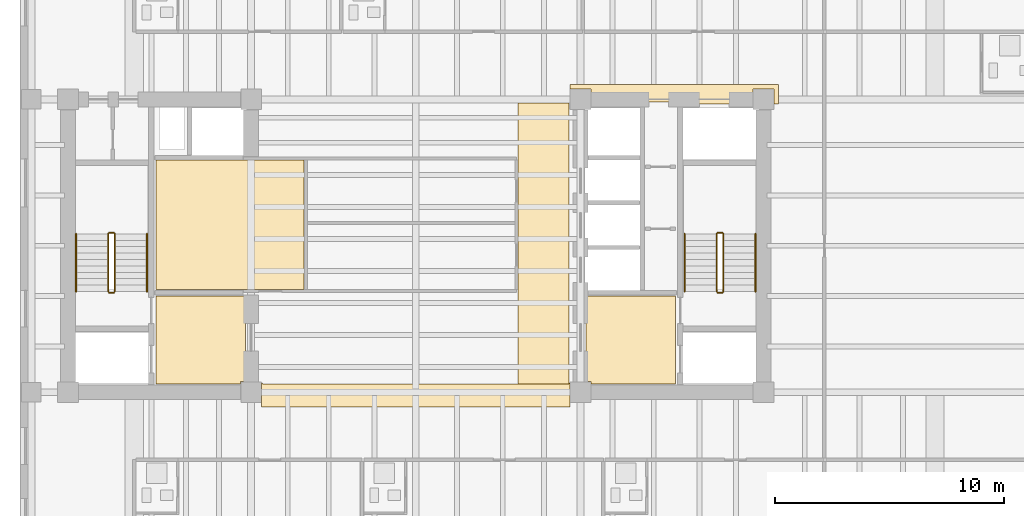
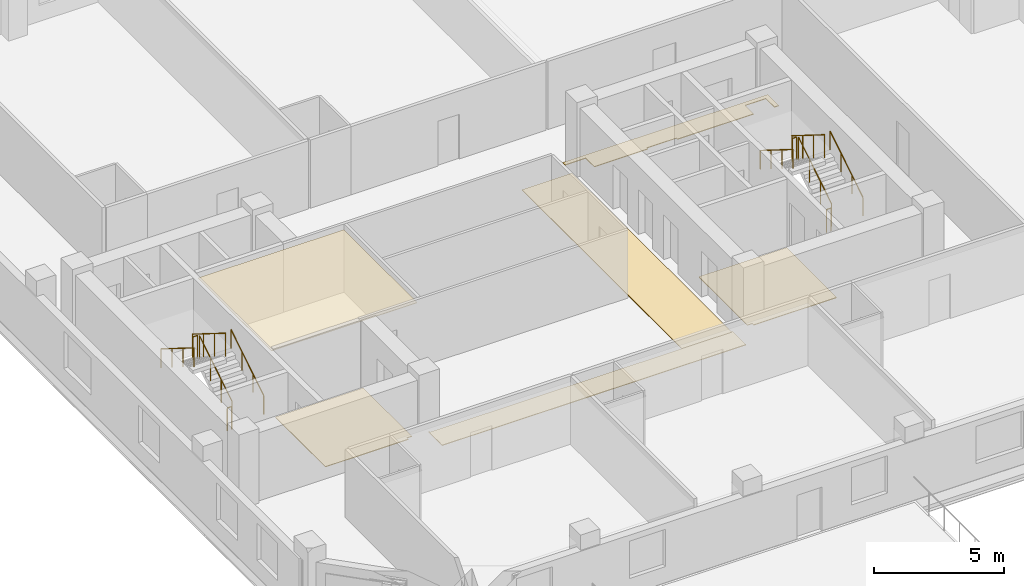
# One storey, part 8 of 10: 12 railings, 6 coverings.
"""IFC4 building model written with IfcOpenShell, lengths in metres."""

import ifcopenshell
import ifcopenshell.guid

model = None  # the IFC model being written
_history = None  # IfcOwnerHistory: only IFC2X3 demands one
_inside = {}  # id of a spatial element -> (the spatial element, [elements in it])
_under = {}  # id of a project, library or spatial element -> (it, [spatial elements below it])
_declared = {}  # id of a project -> (the project, [libraries it declares])
_typed = {}  # id of a type object -> (the type object, [elements of that type])
_made_of = {}  # id of a material, layer set ... -> (it, [elements and type objects made of it])


def new_model(schema):
    """Start an empty IFC model of exactly this schema.

    Asked for "IFC4X3", IfcOpenShell would pick the latest addendum, in which some entities
    have other attributes; the version numbers below select the first issue.
    IFC2X3 requires an IfcOwnerHistory on every rooted entity: one is made here for all.
    """
    global model, _history
    if schema == "IFC4X3":
        model = ifcopenshell.file(schema_version=(4, 3, 0, 0))
    else:
        model = ifcopenshell.file(schema=schema)
    _inside.clear()
    _under.clear()
    _declared.clear()
    _typed.clear()
    _made_of.clear()
    _history = None
    if model.schema == "IFC2X3":
        org = make("IfcOrganization", Name="unknown")
        user = make(
            "IfcPersonAndOrganization",
            ThePerson=make("IfcPerson", FamilyName="unknown"),
            TheOrganization=org,
        )
        app = make(
            "IfcApplication",
            ApplicationDeveloper=org,
            Version="unknown",
            ApplicationFullName="unknown",
            ApplicationIdentifier="unknown",
        )
        _history = make(
            "IfcOwnerHistory",
            OwningUser=user,
            OwningApplication=app,
            ChangeAction="ADDED",
            CreationDate=0,
        )
    return model


def make(cls, **values):
    """One entity of the class cls with the attributes given. An attribute that is None is left unset."""
    return model.create_entity(
        cls, **{name: value for name, value in values.items() if value is not None}
    )


def rooted(cls, **values):
    """An entity with a GlobalId (a new one), such as an element, a storey or a relation."""
    return make(cls, GlobalId=ifcopenshell.guid.new(), OwnerHistory=_history, **values)


def si_unit(unit_type, name, prefix=None):
    """IfcSIUnit, for example si_unit("LENGTHUNIT", "METRE", prefix="MILLI")."""
    return make("IfcSIUnit", UnitType=unit_type, Prefix=prefix, Name=name)


def assignment(units):
    """IfcUnitAssignment: the units of a project."""
    return None if units is None else make("IfcUnitAssignment", Units=units)


def point(xyz):
    """IfcCartesianPoint."""
    return None if xyz is None else make("IfcCartesianPoint", Coordinates=xyz)


def direction(xyz):
    """IfcDirection."""
    return None if xyz is None else make("IfcDirection", DirectionRatios=xyz)


def frame(location, z_axis=None, x_axis=None):
    """IfcAxis2Placement3D, a coordinate frame: its origin and axes. An axis left out is left unset."""
    return make(
        "IfcAxis2Placement3D",
        Location=point(location),
        Axis=direction(z_axis),
        RefDirection=direction(x_axis),
    )


def frame_2d(location, x_axis=None):
    """IfcAxis2Placement2D, a coordinate frame in the plane: its origin and x axis."""
    return make(
        "IfcAxis2Placement2D", Location=point(location), RefDirection=direction(x_axis)
    )


def origin():
    """The frame at (0, 0, 0) with its axes left unset."""
    return frame((0.0, 0.0, 0.0))


def origin_2d():
    """The frame at (0, 0) in the plane with its x axis left unset."""
    return frame_2d((0.0, 0.0))


def place(relative_to, where):
    """IfcLocalPlacement: puts the frame where relative to a parent placement (None: the world)."""
    return make(
        "IfcLocalPlacement", PlacementRelTo=relative_to, RelativePlacement=where
    )


def context(
    kind, dimensions, precision=None, world=None, true_north=None, identifier=None
):
    """IfcGeometricRepresentationContext, for example the 3D "Model" context."""
    return make(
        "IfcGeometricRepresentationContext",
        ContextIdentifier=identifier,
        ContextType=kind,
        CoordinateSpaceDimension=dimensions,
        Precision=precision,
        WorldCoordinateSystem=world,
        TrueNorth=true_north,
    )


def subcontext(parent, identifier, kind, view, scale=None):
    """IfcGeometricRepresentationSubContext, for example "Body" below "Model"."""
    return make(
        "IfcGeometricRepresentationSubContext",
        ContextIdentifier=identifier,
        ContextType=kind,
        ParentContext=parent,
        TargetScale=scale,
        TargetView=view,
    )


def project(units=None, contexts=None):
    """IfcProject with its units and contexts."""
    return rooted(
        "IfcProject",
        Name="project",
        RepresentationContexts=contexts,
        UnitsInContext=assignment(units),
    )


def spatial(cls, under=None, at=None, **own):
    """A site, building, storey or space (cls), placed at a placement, below another one or the project."""
    s = rooted(cls, ObjectPlacement=at, **own)
    if under is not None:
        _under.setdefault(under.id(), (under, []))[1].append(s)
    return s


def polyline(points):
    """IfcPolyline through the points."""
    return make("IfcPolyline", Points=[point(p) for p in points])


def profile(cls, at=None, kind="AREA", **sizes):
    """A parametric profile (cls). Its sizes go by their IFC names, for example OverallWidth=200.0."""
    return make(cls, ProfileType=kind, Position=at, **sizes)


def circle(**sizes):
    """IfcCircleProfileDef."""
    return profile("IfcCircleProfileDef", **sizes)


def outline(outer, holes=None, kind="AREA"):
    """IfcArbitraryClosedProfileDef: a profile drawn as a closed curve; with holes, ...WithVoids."""
    if holes is None:
        return make("IfcArbitraryClosedProfileDef", ProfileType=kind, OuterCurve=outer)
    return make(
        "IfcArbitraryProfileDefWithVoids",
        ProfileType=kind,
        OuterCurve=outer,
        InnerCurves=holes,
    )


def extrude(swept, where, along, depth):
    """IfcExtrudedAreaSolid: the profile swept, set in the frame where, extruded along a direction by depth."""
    return make(
        "IfcExtrudedAreaSolid",
        SweptArea=swept,
        Position=where,
        ExtrudedDirection=direction(along),
        Depth=depth,
    )


def shape(context_of_items, identifier, shape_type, items):
    """IfcShapeRepresentation: the items that make up one representation, for example the "Body"."""
    return make(
        "IfcShapeRepresentation",
        ContextOfItems=context_of_items,
        RepresentationIdentifier=identifier,
        RepresentationType=shape_type,
        Items=items,
    )


def material(Name=None, Category=None):
    """IfcMaterial."""
    return make("IfcMaterial", Name=Name, Category=Category)


def layer(
    of_material, thickness, ventilated=None, Name=None, Category=None, Priority=None
):
    """IfcMaterialLayer: one layer of a wall or slab, of a material (None: an air gap)."""
    return make(
        "IfcMaterialLayer",
        Material=of_material,
        LayerThickness=thickness,
        IsVentilated=ventilated,
        Name=Name,
        Category=Category,
        Priority=Priority,
    )


def layer_set(layers, Name=None):
    """IfcMaterialLayerSet."""
    return make("IfcMaterialLayerSet", MaterialLayers=layers, LayerSetName=Name)


def made_of(thing, what):
    """Note that an element or type object is made of a material, layer set ...; save() writes the relation."""
    if what is not None:
        _made_of.setdefault(what.id(), (what, []))[1].append(thing)
    return thing


def type_object(cls, material=None, **own):
    """A type object (cls), such as IfcWallType, which elements share."""
    return made_of(rooted(cls, **own), material)


def element(
    cls,
    number,
    at=None,
    inside=None,
    cuts=None,
    type_object=None,
    material=None,
    context=None,
    identifier="Body",
    shape_type=None,
    held_by="IfcProductDefinitionShape",
    body=None,
    shapes=None,
    **own,
):
    """One element of the class cls, such as IfcWall. Its Tag is "e" and its number.

    at: its placement. inside: the storey or other place that contains it. cuts: it is an
    opening in that element (IfcRelVoidsElement). A single representation is given by context,
    identifier, shape_type and body (its items); several are given by shapes. held_by: the class
    of the entity that holds the representations. save() writes the other relations.
    """
    e = rooted(cls, Tag="e%d" % number, ObjectPlacement=at, **own)
    if body is not None:
        shapes = [shape(context, identifier, shape_type, body)]
    if shapes is not None:
        e.Representation = make(held_by, Representations=shapes)
    if inside is not None:
        _inside.setdefault(inside.id(), (inside, []))[1].append(e)
    if cuts is not None:
        rooted(
            "IfcRelVoidsElement", RelatingBuildingElement=cuts, RelatedOpeningElement=e
        )
    if type_object is not None:
        _typed.setdefault(type_object.id(), (type_object, []))[1].append(e)
    return made_of(e, material)


def aggregate(whole, parts):
    """IfcRelAggregates: a whole, such as a stair, and the parts it consists of."""
    return rooted("IfcRelAggregates", RelatingObject=whole, RelatedObjects=parts)


def save(model, path):
    """Write the relations noted so far, then the file.

    IfcRelAggregates (storeys below a building ...), IfcRelContainedInSpatialStructure (elements
    in a storey), IfcRelDefinesByType, IfcRelAssociatesMaterial and IfcRelDeclares: one each for
    every whole, place, type object, material and project.
    """
    for whole, parts in _under.values():
        aggregate(whole, parts)
    for where, things in _inside.values():
        rooted(
            "IfcRelContainedInSpatialStructure",
            RelatedElements=things,
            RelatingStructure=where,
        )
    for kind, things in _typed.values():
        rooted("IfcRelDefinesByType", RelatedObjects=things, RelatingType=kind)
    for what, things in _made_of.values():
        rooted("IfcRelAssociatesMaterial", RelatedObjects=things, RelatingMaterial=what)
    for by, libraries in _declared.values():
        rooted("IfcRelDeclares", RelatingContext=by, RelatedDefinitions=libraries)
    model.write(path)


model = new_model("IFC4")

# Units and contexts
model_context = context("Model", 3, precision=1e-05, world=origin(), true_north=direction((0.0, 1.0)))
body_context = subcontext(model_context, "Body", "Model", "MODEL_VIEW")
ifc_project = project(units=[si_unit("LENGTHUNIT", "METRE"), si_unit("AREAUNIT", "SQUARE_METRE"), si_unit("VOLUMEUNIT", "CUBIC_METRE"), si_unit("PLANEANGLEUNIT", "RADIAN"), si_unit("MASSUNIT", "GRAM", prefix="KILO")], contexts=[model_context])

# Site, building, storey
site_placement = place(None, origin())
site = spatial("IfcSite", under=ifc_project, at=site_placement, CompositionType="ELEMENT")
building_placement = place(site_placement, origin())
building = spatial("IfcBuilding", under=site, at=building_placement, Name="Kranthara Brick Stack", CompositionType="ELEMENT")
storey_placement = place(building_placement, frame((0.0, 0.0, 162.300048828125)))
storey = spatial("IfcBuildingStorey", under=building, at=storey_placement, Name="L41", CompositionType="ELEMENT", Elevation=162.300048828125)

# Coverings
ifc_material_1 = material(Name="Perforated mineral-fibre acoustic ceiling tile", Category="other")
ifc_layer_1 = layer(ifc_material_1, 0.02490234375)
ifc_layer_set_1 = layer_set([ifc_layer_1], Name="Perforated mineral-fibre acoustic ceiling tile")
covering_type_1 = type_object("IfcCoveringType", Name="COV-CEIL-ACOUSTIC", PredefinedType="CEILING", material=ifc_layer_set_1)
covering_1_placement = place(storey_placement, frame((0.0, 0.0, 2.929931640625)))
element("IfcCovering", 1, at=covering_1_placement, inside=storey, type_object=covering_type_1, Name="L41 L41 Hotel Business Study Acoustic Ceiling", PredefinedType="CEILING", context=body_context, shape_type="SweptSolid", body=[
    extrude(outline(polyline([(23.1201171875, 25.300048828125), (23.1201171875, 30.93994140625), (16.64990234375, 30.93994140625), (16.64990234375, 25.300048828125), (23.1201171875, 25.300048828125)])), origin(), (0.0, 0.0, 1.0), 0.02490234375),
])
ifc_material_2 = material(Name="Honed terrazzo and porcelain floor finish", Category="stone")
ifc_layer_2 = layer(ifc_material_2, 0.030029296875)
ifc_layer_set_2 = layer_set([ifc_layer_2], Name="Honed terrazzo and porcelain floor finish")
covering_type_2 = type_object("IfcCoveringType", Name="COV-FLOR-STONE", PredefinedType="FLOORING", material=ifc_layer_set_2)
covering_2_placement = place(storey_placement, origin())
element("IfcCovering", 2, at=covering_2_placement, inside=storey, type_object=covering_type_2, Name="L41 Lift Lobby Stone Flooring", PredefinedType="FLOORING", context=body_context, shape_type="SweptSolid", body=[
    extrude(outline(polyline([(16.64990234375, 21.14990234375), (16.64990234375, 25.0), (20.550048828125, 25.0), (20.550048828125, 21.260009765625), (20.340087890625, 21.260009765625), (20.340087890625, 21.14990234375), (16.64990234375, 21.14990234375)])), origin(), (0.0, 0.0, 1.0), 0.030029296875),
])
covering_3_placement = place(storey_placement, origin())
element("IfcCovering", 3, at=covering_3_placement, inside=storey, type_object=covering_type_2, Name="L41 Lift Lobby Stone Flooring", PredefinedType="FLOORING", context=body_context, shape_type="SweptSolid", body=[
    extrude(outline(polyline([(35.449951171875, 25.0), (39.35009765625, 25.0), (39.35009765625, 21.14990234375), (35.659912109375, 21.14990234375), (35.659912109375, 21.260009765625), (35.449951171875, 21.260009765625), (35.449951171875, 25.0)])), origin(), (0.0, 0.0, 1.0), 0.030029296875),
])
covering_4_placement = place(storey_placement, origin())
element("IfcCovering", 4, at=covering_4_placement, inside=storey, type_object=covering_type_2, Name="L41 Lift Lobby Stone Flooring", PredefinedType="FLOORING", context=body_context, shape_type="SweptSolid", body=[
    extrude(outline(polyline([(34.699951171875, 21.14990234375), (34.699951171875, 33.449951171875), (32.47998046875, 33.449951171875), (32.47998046875, 21.14990234375), (34.699951171875, 21.14990234375)])), origin(), (0.0, 0.0, 1.0), 0.030029296875),
])
covering_5_placement = place(storey_placement, origin())
element("IfcCovering", 5, at=covering_5_placement, inside=storey, type_object=covering_type_2, Name="L41 Lift Lobby Stone Flooring", PredefinedType="FLOORING", context=body_context, shape_type="SweptSolid", body=[
    extrude(outline(polyline([(21.25, 20.340087890625), (21.260009765625, 20.340087890625), (21.260009765625, 21.199951171875), (21.300048828125, 21.199951171875), (21.300048828125, 21.14990234375), (32.47998046875, 21.14990234375), (34.699951171875, 21.14990234375), (34.699951171875, 21.199951171875), (34.739990234375, 21.199951171875), (34.739990234375, 20.340087890625), (34.75, 20.340087890625), (34.75, 20.14990234375), (21.25, 20.14990234375), (21.25, 20.340087890625)])), origin(), (0.0, 0.0, 1.0), 0.030029296875),
])
covering_6_placement = place(storey_placement, origin())
element("IfcCovering", 6, at=covering_6_placement, inside=storey, type_object=covering_type_2, Name="L41 Lift Lobby Stone Flooring", PredefinedType="FLOORING", context=body_context, shape_type="SweptSolid", body=[
    extrude(outline(polyline([(43.659912109375, 33.39990234375), (43.659912109375, 34.06005859375), (42.739990234375, 34.06005859375), (42.739990234375, 33.39990234375), (39.35009765625, 33.39990234375), (39.35009765625, 33.47998046875), (38.050048828125, 33.47998046875), (38.050048828125, 33.39990234375), (35.659912109375, 33.39990234375), (35.659912109375, 34.06005859375), (34.75, 34.06005859375), (34.75, 34.25), (43.85009765625, 34.25), (43.85009765625, 33.39990234375), (43.659912109375, 33.39990234375)])), origin(), (0.0, 0.0, 1.0), 0.030029296875),
])

# Railings
ifc_material_3 = material(Name="Painted galvanized steel stair guardrail", Category="steel")
railing_type_1 = type_object("IfcRailingType", Name="RL-STAIR-GUARD-1100", PredefinedType="GUARDRAIL", material=ifc_material_3)
railing_1_placement = place(storey_placement, frame((14.85009765625, 25.199951171875, 0.175048828125)))
element("IfcRailing", 7, at=railing_1_placement, inside=storey, type_object=railing_type_1, Name="L41 ST01 stair guard 1", PredefinedType="GUARDRAIL", context=body_context, shape_type="SweptSolid", body=[
    extrude(circle(Radius=0.02392578125, at=origin_2d()), frame((0.0, 0.0, 1.076171875), z_axis=(0.0, 0.848007534815, 0.529984170421), x_axis=(-1.0, 0.0, 0.0)), (0.0, 0.0, 1.0), 2.9716796875),
    extrude(circle(Radius=0.02099609375, at=origin_2d()), origin(), (0.0, 0.0, 1.0), 1.052001953125),
    extrude(circle(Radius=0.02099609375, at=origin_2d()), frame((0.0, 0.840087890625, 0.52490234375)), (0.0, 0.0, 1.0), 1.052001953125),
    extrude(circle(Radius=0.02099609375, at=origin_2d()), frame((0.0, 1.679931640625, 1.050048828125)), (0.0, 0.0, 1.0), 1.052001953125),
    extrude(circle(Radius=0.02099609375, at=origin_2d()), frame((0.0, 2.52001953125, 1.574951171875)), (0.0, 0.0, 1.0), 1.052001953125),
])
railing_2_placement = place(storey_placement, frame((14.800048828125, 27.77001953125, 1.75)))
element("IfcRailing", 8, at=railing_2_placement, inside=storey, type_object=railing_type_1, Name="L41 ST01 stair guard 2", PredefinedType="GUARDRAIL", context=body_context, shape_type="SweptSolid", body=[
    extrude(circle(Radius=0.02392578125, at=origin_2d()), frame((0.0, 0.0, 1.076171875), z_axis=(-1.0, 0.0, 0.0), x_axis=(0.0, -1.0, 0.0)), (0.0, 0.0, 1.0), 0.199951171875),
    extrude(circle(Radius=0.02099609375, at=origin_2d()), origin(), (0.0, 0.0, 1.0), 1.052001953125),
    extrude(circle(Radius=0.02099609375, at=origin_2d()), frame((-0.199951171875, 0.0, 0.0)), (0.0, 0.0, 1.0), 1.052001953125),
])
railing_3_placement = place(storey_placement, frame((14.550048828125, 27.719970703125, 1.925048828125)))
element("IfcRailing", 9, at=railing_3_placement, inside=storey, type_object=railing_type_1, Name="L41 ST01 stair guard 3", PredefinedType="GUARDRAIL", context=body_context, shape_type="SweptSolid", body=[
    extrude(circle(Radius=0.02392578125, at=origin_2d()), frame((0.0, 0.0, 1.076171875), z_axis=(0.0, -0.848007534815, 0.529984170421), x_axis=(1.0, 0.0, 0.0)), (0.0, 0.0, 1.0), 2.9716796875),
    extrude(circle(Radius=0.02099609375, at=origin_2d()), origin(), (0.0, 0.0, 1.0), 1.052001953125),
    extrude(circle(Radius=0.02099609375, at=origin_2d()), frame((0.0, -0.840087890625, 0.52490234375)), (0.0, 0.0, 1.0), 1.052001953125),
    extrude(circle(Radius=0.02099609375, at=origin_2d()), frame((0.0, -1.679931640625, 1.050048828125)), (0.0, 0.0, 1.0), 1.052001953125),
    extrude(circle(Radius=0.02099609375, at=origin_2d()), frame((0.0, -2.52001953125, 1.574951171875)), (0.0, 0.0, 1.0), 1.052001953125),
])
railing_4_placement = place(storey_placement, frame((14.800048828125, 25.14990234375, 0.0)))
element("IfcRailing", 10, at=railing_4_placement, inside=storey, type_object=railing_type_1, Name="L41 ST01 stair guard 4", PredefinedType="GUARDRAIL", context=body_context, shape_type="SweptSolid", body=[
    extrude(circle(Radius=0.02392578125, at=origin_2d()), frame((0.0, 0.0, 1.076171875), z_axis=(-1.0, 0.0, 0.0), x_axis=(0.0, -1.0, 0.0)), (0.0, 0.0, 1.0), 0.199951171875),
    extrude(circle(Radius=0.02099609375, at=origin_2d()), origin(), (0.0, 0.0, 1.0), 1.052001953125),
    extrude(circle(Radius=0.02099609375, at=origin_2d()), frame((-0.199951171875, 0.0, 0.0)), (0.0, 0.0, 1.0), 1.052001953125),
])
railing_5_placement = place(storey_placement, frame((41.449951171875, 25.199951171875, 0.175048828125)))
element("IfcRailing", 11, at=railing_5_placement, inside=storey, type_object=railing_type_1, Name="L41 ST02 stair guard 1", PredefinedType="GUARDRAIL", context=body_context, shape_type="SweptSolid", body=[
    extrude(circle(Radius=0.02392578125, at=origin_2d()), frame((0.0, 0.0, 1.076171875), z_axis=(0.0, 0.848007534815, 0.529984170421), x_axis=(-1.0, 0.0, 0.0)), (0.0, 0.0, 1.0), 2.9716796875),
    extrude(circle(Radius=0.02099609375, at=origin_2d()), origin(), (0.0, 0.0, 1.0), 1.052001953125),
    extrude(circle(Radius=0.02099609375, at=origin_2d()), frame((0.0, 0.840087890625, 0.52490234375)), (0.0, 0.0, 1.0), 1.052001953125),
    extrude(circle(Radius=0.02099609375, at=origin_2d()), frame((0.0, 1.679931640625, 1.050048828125)), (0.0, 0.0, 1.0), 1.052001953125),
    extrude(circle(Radius=0.02099609375, at=origin_2d()), frame((0.0, 2.52001953125, 1.574951171875)), (0.0, 0.0, 1.0), 1.052001953125),
])
railing_6_placement = place(storey_placement, frame((41.39990234375, 27.77001953125, 1.75)))
element("IfcRailing", 12, at=railing_6_placement, inside=storey, type_object=railing_type_1, Name="L41 ST02 stair guard 2", PredefinedType="GUARDRAIL", context=body_context, shape_type="SweptSolid", body=[
    extrude(circle(Radius=0.02392578125, at=origin_2d()), frame((0.0, 0.0, 1.076171875), z_axis=(-1.0, 0.0, 0.0), x_axis=(0.0, -1.0, 0.0)), (0.0, 0.0, 1.0), 0.199951171875),
    extrude(circle(Radius=0.02099609375, at=origin_2d()), origin(), (0.0, 0.0, 1.0), 1.052001953125),
    extrude(circle(Radius=0.02099609375, at=origin_2d()), frame((-0.199951171875, 0.0, 0.0)), (0.0, 0.0, 1.0), 1.052001953125),
])
railing_7_placement = place(storey_placement, frame((41.14990234375, 27.719970703125, 1.925048828125)))
element("IfcRailing", 13, at=railing_7_placement, inside=storey, type_object=railing_type_1, Name="L41 ST02 stair guard 3", PredefinedType="GUARDRAIL", context=body_context, shape_type="SweptSolid", body=[
    extrude(circle(Radius=0.02392578125, at=origin_2d()), frame((0.0, 0.0, 1.076171875), z_axis=(0.0, -0.848007534815, 0.529984170421), x_axis=(1.0, 0.0, 0.0)), (0.0, 0.0, 1.0), 2.9716796875),
    extrude(circle(Radius=0.02099609375, at=origin_2d()), origin(), (0.0, 0.0, 1.0), 1.052001953125),
    extrude(circle(Radius=0.02099609375, at=origin_2d()), frame((0.0, -0.840087890625, 0.52490234375)), (0.0, 0.0, 1.0), 1.052001953125),
    extrude(circle(Radius=0.02099609375, at=origin_2d()), frame((0.0, -1.679931640625, 1.050048828125)), (0.0, 0.0, 1.0), 1.052001953125),
    extrude(circle(Radius=0.02099609375, at=origin_2d()), frame((0.0, -2.52001953125, 1.574951171875)), (0.0, 0.0, 1.0), 1.052001953125),
])
railing_8_placement = place(storey_placement, frame((41.39990234375, 25.14990234375, 0.0)))
element("IfcRailing", 14, at=railing_8_placement, inside=storey, type_object=railing_type_1, Name="L41 ST02 stair guard 4", PredefinedType="GUARDRAIL", context=body_context, shape_type="SweptSolid", body=[
    extrude(circle(Radius=0.02392578125, at=origin_2d()), frame((0.0, 0.0, 1.076171875), z_axis=(-1.0, 0.0, 0.0), x_axis=(0.0, -1.0, 0.0)), (0.0, 0.0, 1.0), 0.199951171875),
    extrude(circle(Radius=0.02099609375, at=origin_2d()), origin(), (0.0, 0.0, 1.0), 1.052001953125),
    extrude(circle(Radius=0.02099609375, at=origin_2d()), frame((-0.199951171875, 0.0, 0.0)), (0.0, 0.0, 1.0), 1.052001953125),
])
ifc_material_4 = material(Name="Brushed stainless steel tubular handrail", Category="steel")
railing_type_2 = type_object("IfcRailingType", Name="RL-STAIR-HAND-900", PredefinedType="HANDRAIL", material=ifc_material_4)
railing_9_placement = place(storey_placement, frame((16.25, 25.199951171875, 0.175048828125)))
element("IfcRailing", 15, at=railing_9_placement, inside=storey, type_object=railing_type_2, Name="L41 ST01 stair handrail 1", PredefinedType="HANDRAIL", context=body_context, shape_type="SweptSolid", body=[
    extrude(circle(Radius=0.02392578125, at=origin_2d()), frame((0.0, 0.0, 0.8759765625), z_axis=(0.0, 0.848007534815, 0.529984170421), x_axis=(-1.0, 0.0, 0.0)), (0.0, 0.0, 1.0), 2.9716796875),
    extrude(circle(Radius=0.02099609375, at=origin_2d()), origin(), (0.0, 0.0, 1.0), 0.851806640625),
    extrude(circle(Radius=0.02099609375, at=origin_2d()), frame((0.0, 0.840087890625, 0.52490234375)), (0.0, 0.0, 1.0), 0.851806640625),
    extrude(circle(Radius=0.02099609375, at=origin_2d()), frame((0.0, 1.679931640625, 1.050048828125)), (0.0, 0.0, 1.0), 0.851806640625),
    extrude(circle(Radius=0.02099609375, at=origin_2d()), frame((0.0, 2.52001953125, 1.574951171875)), (0.0, 0.0, 1.0), 0.851806640625),
])
railing_10_placement = place(storey_placement, frame((13.14990234375, 27.719970703125, 1.925048828125)))
element("IfcRailing", 16, at=railing_10_placement, inside=storey, type_object=railing_type_2, Name="L41 ST01 stair handrail 2", PredefinedType="HANDRAIL", context=body_context, shape_type="SweptSolid", body=[
    extrude(circle(Radius=0.02392578125, at=origin_2d()), frame((0.0, 0.0, 0.8759765625), z_axis=(0.0, -0.848007534815, 0.529984170421), x_axis=(1.0, 0.0, 0.0)), (0.0, 0.0, 1.0), 2.9716796875),
    extrude(circle(Radius=0.02099609375, at=origin_2d()), origin(), (0.0, 0.0, 1.0), 0.851806640625),
    extrude(circle(Radius=0.02099609375, at=origin_2d()), frame((0.0, -0.840087890625, 0.52490234375)), (0.0, 0.0, 1.0), 0.851806640625),
    extrude(circle(Radius=0.02099609375, at=origin_2d()), frame((0.0, -1.679931640625, 1.050048828125)), (0.0, 0.0, 1.0), 0.851806640625),
    extrude(circle(Radius=0.02099609375, at=origin_2d()), frame((0.0, -2.52001953125, 1.574951171875)), (0.0, 0.0, 1.0), 0.851806640625),
])
railing_11_placement = place(storey_placement, frame((42.85009765625, 25.199951171875, 0.175048828125)))
element("IfcRailing", 17, at=railing_11_placement, inside=storey, type_object=railing_type_2, Name="L41 ST02 stair handrail 1", PredefinedType="HANDRAIL", context=body_context, shape_type="SweptSolid", body=[
    extrude(circle(Radius=0.02392578125, at=origin_2d()), frame((0.0, 0.0, 0.8759765625), z_axis=(0.0, 0.848007534815, 0.529984170421), x_axis=(-1.0, 0.0, 0.0)), (0.0, 0.0, 1.0), 2.9716796875),
    extrude(circle(Radius=0.02099609375, at=origin_2d()), origin(), (0.0, 0.0, 1.0), 0.851806640625),
    extrude(circle(Radius=0.02099609375, at=origin_2d()), frame((0.0, 0.840087890625, 0.52490234375)), (0.0, 0.0, 1.0), 0.851806640625),
    extrude(circle(Radius=0.02099609375, at=origin_2d()), frame((0.0, 1.679931640625, 1.050048828125)), (0.0, 0.0, 1.0), 0.851806640625),
    extrude(circle(Radius=0.02099609375, at=origin_2d()), frame((0.0, 2.52001953125, 1.574951171875)), (0.0, 0.0, 1.0), 0.851806640625),
])
railing_12_placement = place(storey_placement, frame((39.75, 27.719970703125, 1.925048828125)))
element("IfcRailing", 18, at=railing_12_placement, inside=storey, type_object=railing_type_2, Name="L41 ST02 stair handrail 2", PredefinedType="HANDRAIL", context=body_context, shape_type="SweptSolid", body=[
    extrude(circle(Radius=0.02392578125, at=origin_2d()), frame((0.0, 0.0, 0.8759765625), z_axis=(0.0, -0.848007534815, 0.529984170421), x_axis=(1.0, 0.0, 0.0)), (0.0, 0.0, 1.0), 2.9716796875),
    extrude(circle(Radius=0.02099609375, at=origin_2d()), origin(), (0.0, 0.0, 1.0), 0.851806640625),
    extrude(circle(Radius=0.02099609375, at=origin_2d()), frame((0.0, -0.840087890625, 0.52490234375)), (0.0, 0.0, 1.0), 0.851806640625),
    extrude(circle(Radius=0.02099609375, at=origin_2d()), frame((0.0, -1.679931640625, 1.050048828125)), (0.0, 0.0, 1.0), 0.851806640625),
    extrude(circle(Radius=0.02099609375, at=origin_2d()), frame((0.0, -2.52001953125, 1.574951171875)), (0.0, 0.0, 1.0), 0.851806640625),
])

save(model, "model.ifc")
